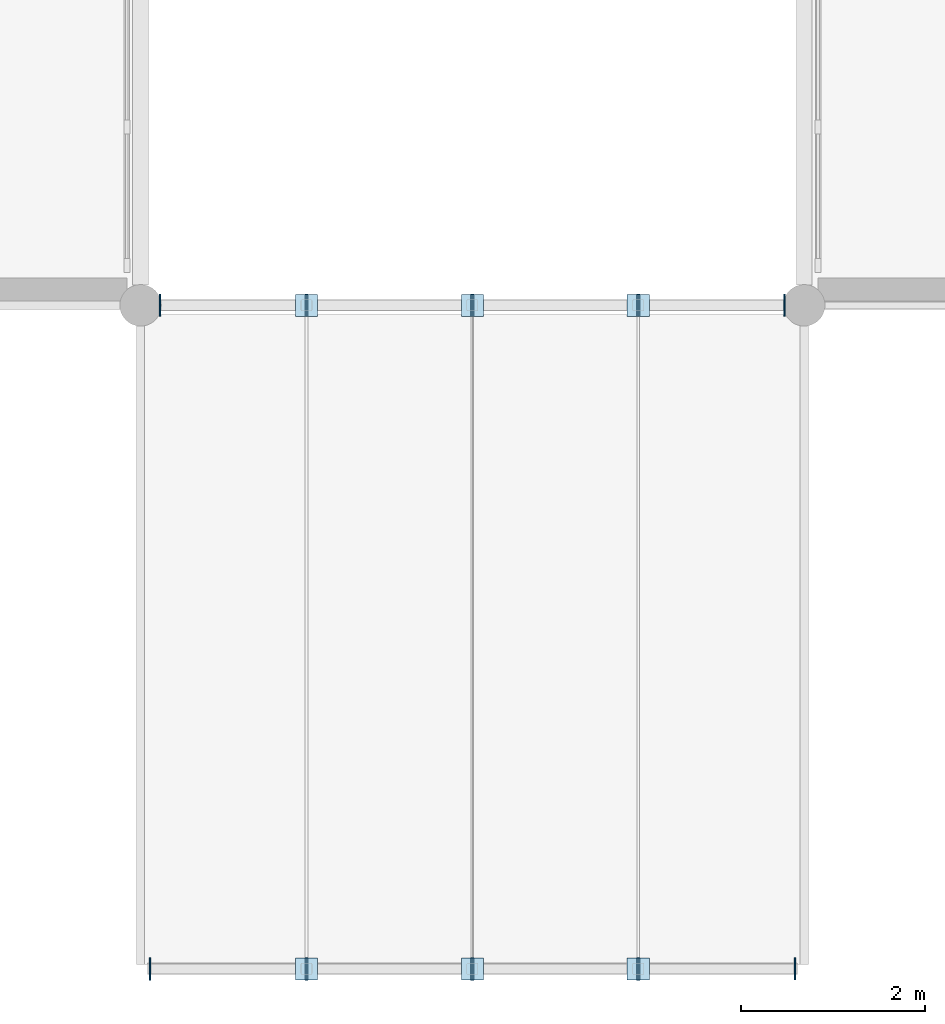
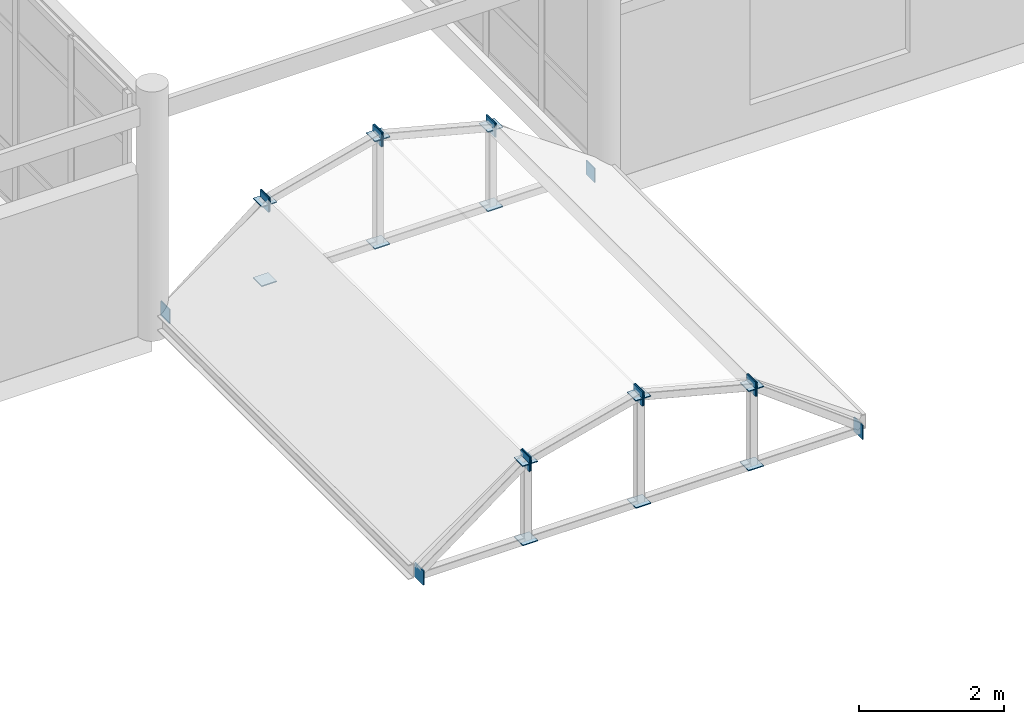
# One storey, part 43 of 85: 28 plates.
"""IFC4 building model written with IfcOpenShell, lengths in metres."""

from ifc_helpers import new_model, si_unit, direction, frame, origin, origin_2d, place, context, subcontext, project, spatial, rectangle, extrude, material, layer, layer_set, type_object, element, save


model = new_model("IFC4")

# Units and contexts
model_context = context("Model", 3, precision=1e-05, world=origin(), true_north=direction((0.0, 1.0)))
body_context = subcontext(model_context, "Body", "Model", "MODEL_VIEW")
ifc_project = project(units=[si_unit("LENGTHUNIT", "METRE"), si_unit("AREAUNIT", "SQUARE_METRE"), si_unit("VOLUMEUNIT", "CUBIC_METRE"), si_unit("PLANEANGLEUNIT", "RADIAN"), si_unit("MASSUNIT", "GRAM", prefix="KILO")], contexts=[model_context])

# Site, building, storey
site_placement = place(None, origin())
site = spatial("IfcSite", under=ifc_project, at=site_placement, CompositionType="ELEMENT")
building_placement = place(site_placement, origin())
building = spatial("IfcBuilding", under=site, at=building_placement, Name="Ochrevale Crest", CompositionType="ELEMENT")
storey_placement = place(building_placement, frame((0.0, 0.0, 4.5)))
storey = spatial("IfcBuildingStorey", under=building, at=storey_placement, Name="L01", CompositionType="ELEMENT", Elevation=4.5)

# Plates
ifc_material = material(Name="Steel S355", Category="steel")
ifc_layer = layer(ifc_material, 0.01611328125)
ifc_layer_set = layer_set([ifc_layer], Name="Steel S355")
plate_type = type_object("IfcPlateType", Name="PLT-CAP-EXT-16", PredefinedType="USERDEFINED", material=ifc_layer_set)
for number, where, z_axis, x_axis, name in (
    (1, (79.302001953125, 0.0, 0.14013671875), (0.0, 0.0, 1.0), (1.0, 0.0, 0.0), "Parabolic entrance canopy arch tie member welded end cap plate CS"),
    (2, (86.298095703125, 0.0, 0.14013671875), (0.0, 0.0, 1.0), (1.0, 0.0, 0.0), "Parabolic entrance canopy arch tie member welded end cap plate CE"),
):
    element("IfcPlate", number, at=place(storey_placement, frame(where, z_axis=z_axis, x_axis=x_axis)), inside=storey, type_object=plate_type, Name=name, ObjectType="CAP PLATE", PredefinedType="USERDEFINED", context=body_context, shape_type="SweptSolid", body=[
        extrude(rectangle(XDim=0.01611328125, YDim=0.239990234375, at=origin_2d()), origin(), (0.0, 0.0, 1.0), 0.239990234375),
    ])
for number, where, z_axis, x_axis, name in (
    (3, (81.0, 0.0, 0.243896484375), (0.0, 0.0, 1.0), (1.0, 0.0, 0.0), "Parabolic entrance canopy arch web strut welded end cap plate CS"),
    (4, (81.0, 0.0, 1.579833984375), (0.0, 0.0, 1.0), (1.0, 0.0, 0.0), "Parabolic entrance canopy arch web strut welded end cap plate CE"),
    (5, (82.800048828125, 0.0, 0.243896484375), (0.0, 0.0, 1.0), (1.0, 0.0, 0.0), "Parabolic entrance canopy arch web strut welded end cap plate CS"),
    (6, (82.800048828125, 0.0, 2.050048828125), (0.0, 0.0, 1.0), (1.0, 0.0, 0.0), "Parabolic entrance canopy arch web strut welded end cap plate CE"),
    (7, (84.60009765625, 0.0, 0.243896484375), (0.0, 0.0, 1.0), (1.0, 0.0, 0.0), "Parabolic entrance canopy arch web strut welded end cap plate CS"),
    (8, (84.60009765625, 0.0, 1.579833984375), (0.0, 0.0, 1.0), (1.0, 0.0, 0.0), "Parabolic entrance canopy arch web strut welded end cap plate CE"),
):
    element("IfcPlate", number, at=place(storey_placement, frame(where, z_axis=z_axis, x_axis=x_axis)), inside=storey, type_object=plate_type, Name=name, ObjectType="CAP PLATE", PredefinedType="USERDEFINED", context=body_context, shape_type="SweptSolid", body=[
        extrude(rectangle(XDim=0.239990234375, YDim=0.239990234375, at=origin_2d()), origin(), (0.0, 0.0, 1.0), 0.01611328125),
    ])
for number, where, z_axis, x_axis, name in (
    (9, (81.00634765625, 0.0, 1.46484375), (0.0, 0.0, 1.0), (1.0, 0.0, 0.0), "Parabolic entrance canopy arch chord welded end cap plate CE"),
    (10, (80.9921875, 0.0, 1.4580078125), (0.0, 0.0, 1.0), (1.0, 0.0, 0.0), "Parabolic entrance canopy arch chord welded end cap plate CS"),
    (11, (82.807861328125, 0.0, 1.93212890625), (0.0, 0.0, 1.0), (1.0, 0.0, 0.0), "Parabolic entrance canopy arch chord welded end cap plate CE"),
    (12, (82.792236328125, 0.0, 1.93212890625), (0.0, 0.0, 1.0), (1.0, 0.0, 0.0), "Parabolic entrance canopy arch chord welded end cap plate CS"),
    (13, (84.607666015625, 0.0, 1.4580078125), (0.0, 0.0, 1.0), (1.0, 0.0, 0.0), "Parabolic entrance canopy arch chord welded end cap plate CE"),
    (14, (84.593505859375, 0.0, 1.46484375), (0.0, 0.0, 1.0), (1.0, 0.0, 0.0), "Parabolic entrance canopy arch chord welded end cap plate CS"),
    (15, (79.412109375, 7.199951171875, 0.14013671875), (0.0, 0.0, 1.0), (1.0, 0.0, 0.0), "Parabolic entrance canopy arch tie member welded end cap plate CS"),
    (16, (86.18798828125, 7.199951171875, 0.14013671875), (0.0, 0.0, 1.0), (1.0, 0.0, 0.0), "Parabolic entrance canopy arch tie member welded end cap plate CE"),
):
    element("IfcPlate", number, at=place(storey_placement, frame(where, z_axis=z_axis, x_axis=x_axis)), inside=storey, type_object=plate_type, Name=name, ObjectType="CAP PLATE", PredefinedType="USERDEFINED", context=body_context, shape_type="SweptSolid", body=[
        extrude(rectangle(XDim=0.01611328125, YDim=0.239990234375, at=origin_2d()), origin(), (0.0, 0.0, 1.0), 0.239990234375),
    ])
for number, where, z_axis, x_axis, name in (
    (17, (81.0, 7.199951171875, 0.243896484375), (0.0, 0.0, 1.0), (1.0, 0.0, 0.0), "Parabolic entrance canopy arch web strut welded end cap plate CS"),
    (18, (81.0, 7.199951171875, 1.579833984375), (0.0, 0.0, 1.0), (1.0, 0.0, 0.0), "Parabolic entrance canopy arch web strut welded end cap plate CE"),
    (19, (82.800048828125, 7.199951171875, 0.243896484375), (0.0, 0.0, 1.0), (1.0, 0.0, 0.0), "Parabolic entrance canopy arch web strut welded end cap plate CS"),
    (20, (82.800048828125, 7.199951171875, 2.050048828125), (0.0, 0.0, 1.0), (1.0, 0.0, 0.0), "Parabolic entrance canopy arch web strut welded end cap plate CE"),
    (21, (84.60009765625, 7.199951171875, 0.243896484375), (0.0, 0.0, 1.0), (1.0, 0.0, 0.0), "Parabolic entrance canopy arch web strut welded end cap plate CS"),
    (22, (84.60009765625, 7.199951171875, 1.579833984375), (0.0, 0.0, 1.0), (1.0, 0.0, 0.0), "Parabolic entrance canopy arch web strut welded end cap plate CE"),
):
    element("IfcPlate", number, at=place(storey_placement, frame(where, z_axis=z_axis, x_axis=x_axis)), inside=storey, type_object=plate_type, Name=name, ObjectType="CAP PLATE", PredefinedType="USERDEFINED", context=body_context, shape_type="SweptSolid", body=[
        extrude(rectangle(XDim=0.239990234375, YDim=0.239990234375, at=origin_2d()), origin(), (0.0, 0.0, 1.0), 0.01611328125),
    ])
for number, where, z_axis, x_axis, name in (
    (23, (81.00634765625, 7.199951171875, 1.46484375), (0.0, 0.0, 1.0), (1.0, 0.0, 0.0), "Parabolic entrance canopy arch chord welded end cap plate CE"),
    (24, (80.9921875, 7.199951171875, 1.4580078125), (0.0, 0.0, 1.0), (1.0, 0.0, 0.0), "Parabolic entrance canopy arch chord welded end cap plate CS"),
    (25, (82.807861328125, 7.199951171875, 1.93212890625), (0.0, 0.0, 1.0), (1.0, 0.0, 0.0), "Parabolic entrance canopy arch chord welded end cap plate CE"),
    (26, (82.792236328125, 7.199951171875, 1.93212890625), (0.0, 0.0, 1.0), (1.0, 0.0, 0.0), "Parabolic entrance canopy arch chord welded end cap plate CS"),
    (27, (84.607666015625, 7.199951171875, 1.4580078125), (0.0, 0.0, 1.0), (1.0, 0.0, 0.0), "Parabolic entrance canopy arch chord welded end cap plate CE"),
    (28, (84.59375, 7.199951171875, 1.46484375), (0.0, 0.0, 1.0), (1.0, 0.0, 0.0), "Parabolic entrance canopy arch chord welded end cap plate CS"),
):
    element("IfcPlate", number, at=place(storey_placement, frame(where, z_axis=z_axis, x_axis=x_axis)), inside=storey, type_object=plate_type, Name=name, ObjectType="CAP PLATE", PredefinedType="USERDEFINED", context=body_context, shape_type="SweptSolid", body=[
        extrude(rectangle(XDim=0.01611328125, YDim=0.239990234375, at=origin_2d()), origin(), (0.0, 0.0, 1.0), 0.239990234375),
    ])

save(model, "model.ifc")
